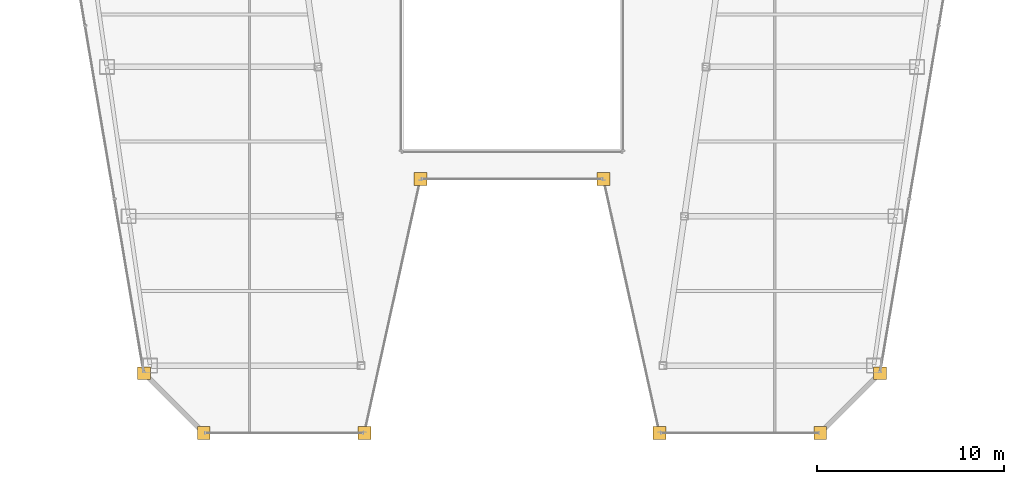
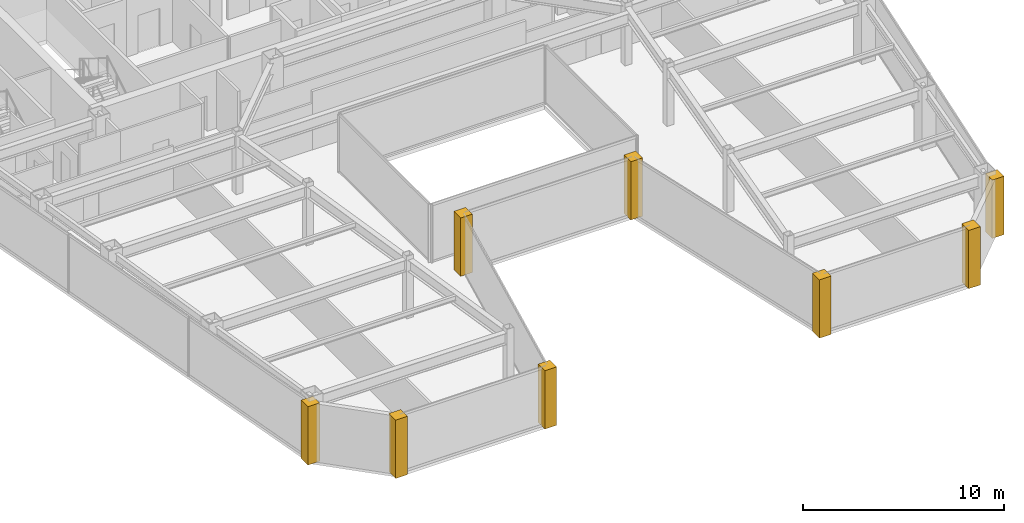
# One storey, part 33 of 35: 8 coverings.
"""IFC4 building model written with IfcOpenShell, lengths in metres."""

from ifc_helpers import new_model, si_unit, direction, frame, origin, place, context, subcontext, project, spatial, polyline, outline, extrude, material, layer, layer_set, type_object, element, save


model = new_model("IFC4")

# Units and contexts
model_context = context("Model", 3, precision=1e-05, world=origin(), true_north=direction((0.0, 1.0)))
body_context = subcontext(model_context, "Body", "Model", "MODEL_VIEW")
ifc_project = project(units=[si_unit("LENGTHUNIT", "METRE"), si_unit("AREAUNIT", "SQUARE_METRE"), si_unit("VOLUMEUNIT", "CUBIC_METRE"), si_unit("PLANEANGLEUNIT", "RADIAN"), si_unit("MASSUNIT", "GRAM", prefix="KILO")], contexts=[model_context])

# Site, building, storey
site_placement = place(None, origin())
site = spatial("IfcSite", under=ifc_project, at=site_placement, CompositionType="ELEMENT")
building_placement = place(site_placement, origin())
building = spatial("IfcBuilding", under=site, at=building_placement, Name="Saevonmaru Cultural Tower", CompositionType="ELEMENT")
storey_placement = place(building_placement, frame((0.0, 0.0, 213.199951171875)))
storey = spatial("IfcBuildingStorey", under=building, at=storey_placement, Name="L49", CompositionType="ELEMENT", Elevation=213.199951171875)

# Coverings
ifc_material = material(Name="Satin Bronze Anodised Aluminium", Category="aluminium")
ifc_layer = layer(ifc_material, 0.679931640625, Name="Satin Bronze Anodised Aluminium")
ifc_layer_set = layer_set([ifc_layer], Name="Satin Bronze Anodised Aluminium")
covering_type = type_object("IfcCoveringType", Name="CV-CORNER-CLAD", PredefinedType="CLADDING", material=ifc_layer_set)
covering_1_placement = place(storey_placement, origin())
element("IfcCovering", 1, at=covering_1_placement, inside=storey, type_object=covering_type, Name="L49 Tower Bronze Corner Cladding Pier 1", PredefinedType="CLADDING", context=body_context, shape_type="SweptSolid", body=[
    extrude(outline(polyline([(9.9580078125, 15.260009765625), (10.637939453125, 15.260009765625), (10.637939453125, 15.93994140625), (9.9580078125, 15.93994140625), (9.9580078125, 15.260009765625)])), origin(), (0.0, 0.0, 1.0), 3.550048828125),
])
covering_2_placement = place(storey_placement, origin())
element("IfcCovering", 2, at=covering_2_placement, inside=storey, type_object=covering_type, Name="L49 Tower Bronze Corner Cladding Pier 2", PredefinedType="CLADDING", context=body_context, shape_type="SweptSolid", body=[
    extrude(outline(polyline([(13.157958984375, 12.06005859375), (13.837890625, 12.06005859375), (13.837890625, 12.739990234375), (13.157958984375, 12.739990234375), (13.157958984375, 12.06005859375)])), origin(), (0.0, 0.0, 1.0), 3.550048828125),
])
covering_3_placement = place(storey_placement, origin())
element("IfcCovering", 3, at=covering_3_placement, inside=storey, type_object=covering_type, Name="L49 Tower Bronze Corner Cladding Pier 3", PredefinedType="CLADDING", context=body_context, shape_type="SweptSolid", body=[
    extrude(outline(polyline([(21.758056640625, 12.06005859375), (22.43798828125, 12.06005859375), (22.43798828125, 12.739990234375), (21.758056640625, 12.739990234375), (21.758056640625, 12.06005859375)])), origin(), (0.0, 0.0, 1.0), 3.550048828125),
])
covering_4_placement = place(storey_placement, origin())
element("IfcCovering", 4, at=covering_4_placement, inside=storey, type_object=covering_type, Name="L49 Tower Bronze Corner Cladding Pier 4", PredefinedType="CLADDING", context=body_context, shape_type="SweptSolid", body=[
    extrude(outline(polyline([(24.758056640625, 25.659912109375), (25.43798828125, 25.659912109375), (25.43798828125, 26.340087890625), (24.758056640625, 26.340087890625), (24.758056640625, 25.659912109375)])), origin(), (0.0, 0.0, 1.0), 3.550048828125),
])
covering_5_placement = place(storey_placement, origin())
element("IfcCovering", 5, at=covering_5_placement, inside=storey, type_object=covering_type, Name="L49 Tower Bronze Corner Cladding Pier 5", PredefinedType="CLADDING", context=body_context, shape_type="SweptSolid", body=[
    extrude(outline(polyline([(34.56201171875, 25.659912109375), (35.241943359375, 25.659912109375), (35.241943359375, 26.340087890625), (34.56201171875, 26.340087890625), (34.56201171875, 25.659912109375)])), origin(), (0.0, 0.0, 1.0), 3.550048828125),
])
covering_6_placement = place(storey_placement, origin())
element("IfcCovering", 6, at=covering_6_placement, inside=storey, type_object=covering_type, Name="L49 Tower Bronze Corner Cladding Pier 6", PredefinedType="CLADDING", context=body_context, shape_type="SweptSolid", body=[
    extrude(outline(polyline([(37.56201171875, 12.06005859375), (38.241943359375, 12.06005859375), (38.241943359375, 12.739990234375), (37.56201171875, 12.739990234375), (37.56201171875, 12.06005859375)])), origin(), (0.0, 0.0, 1.0), 3.550048828125),
])
covering_7_placement = place(storey_placement, origin())
element("IfcCovering", 7, at=covering_7_placement, inside=storey, type_object=covering_type, Name="L49 Tower Bronze Corner Cladding Pier 7", PredefinedType="CLADDING", context=body_context, shape_type="SweptSolid", body=[
    extrude(outline(polyline([(46.162109375, 12.06005859375), (46.842041015625, 12.06005859375), (46.842041015625, 12.739990234375), (46.162109375, 12.739990234375), (46.162109375, 12.06005859375)])), origin(), (0.0, 0.0, 1.0), 3.550048828125),
])
covering_8_placement = place(storey_placement, origin())
element("IfcCovering", 8, at=covering_8_placement, inside=storey, type_object=covering_type, Name="L49 Tower Bronze Corner Cladding Pier 8", PredefinedType="CLADDING", context=body_context, shape_type="SweptSolid", body=[
    extrude(outline(polyline([(49.362060546875, 15.260009765625), (50.0419921875, 15.260009765625), (50.0419921875, 15.93994140625), (49.362060546875, 15.93994140625), (49.362060546875, 15.260009765625)])), origin(), (0.0, 0.0, 1.0), 3.550048828125),
])

save(model, "model.ifc")
